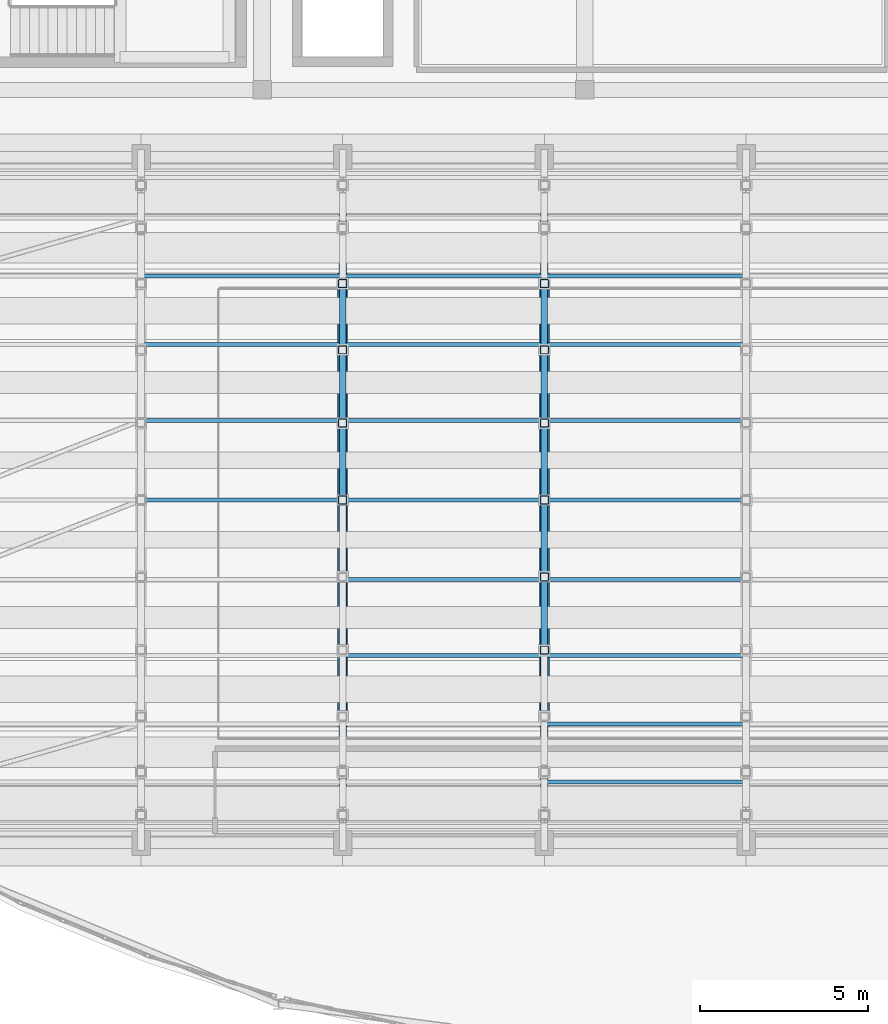
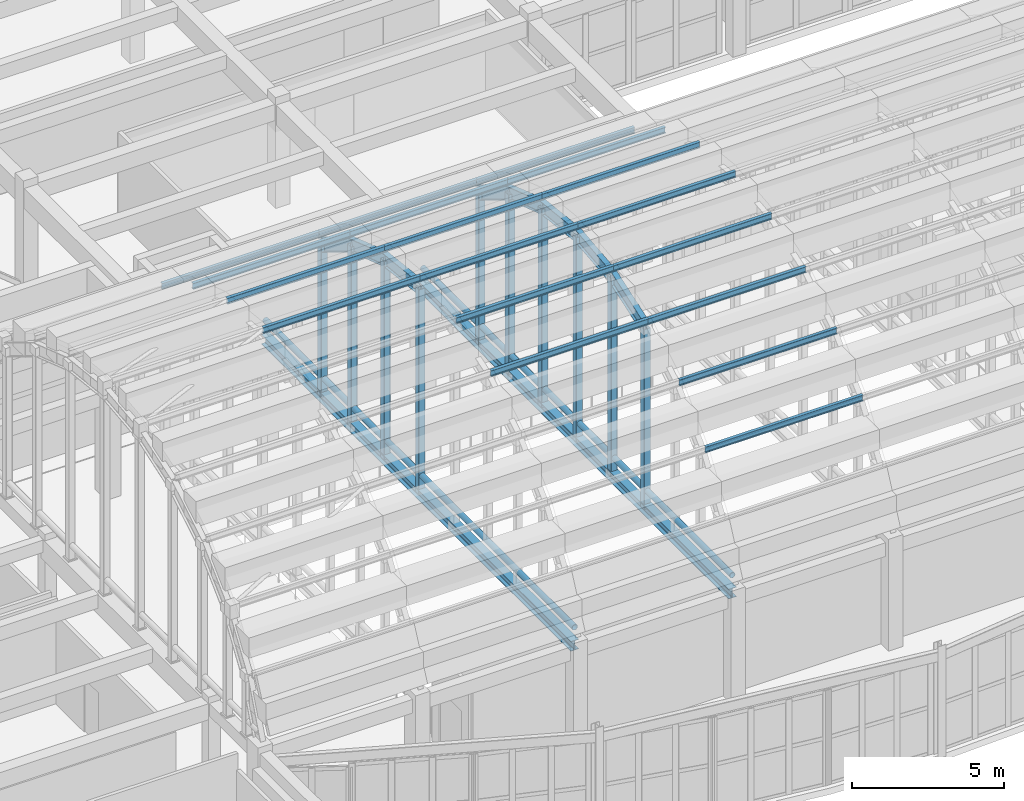
# One storey, part 9 of 91: 30 members, 10 beams.
"""IFC4 building model written with IfcOpenShell, lengths in metres."""

from ifc_helpers import new_model, si_unit, direction, frame, origin, origin_2d, place, context, subcontext, project, spatial, hollow_rectangle, hollow_circle, i_section, extrude, material, material_profile, profile_set, type_object, element, save


model = new_model("IFC4")

# Units and contexts
model_context = context("Model", 3, precision=1e-05, world=origin(), true_north=direction((0.0, 1.0)))
body_context = subcontext(model_context, "Body", "Model", "MODEL_VIEW")
ifc_project = project(units=[si_unit("LENGTHUNIT", "METRE"), si_unit("AREAUNIT", "SQUARE_METRE"), si_unit("VOLUMEUNIT", "CUBIC_METRE"), si_unit("PLANEANGLEUNIT", "RADIAN"), si_unit("MASSUNIT", "GRAM", prefix="KILO")], contexts=[model_context])

# Site, building, storey
site_placement = place(None, origin())
site = spatial("IfcSite", under=ifc_project, at=site_placement, CompositionType="ELEMENT")
building_placement = place(site_placement, origin())
building = spatial("IfcBuilding", under=site, at=building_placement, Name="Tarnavel Promenade Courthouse", CompositionType="ELEMENT")
storey_placement = place(building_placement, frame((0.0, 0.0, 9.89990234375)))
storey = spatial("IfcBuildingStorey", under=building, at=storey_placement, Name="L03", CompositionType="ELEMENT", Elevation=9.89990234375)

# Beams
ifc_material = material(Name="Steel S355J2", Category="steel")
ifc_material_profile_1 = material_profile(ifc_material, i_section(OverallWidth=0.199951171875, OverallDepth=0.5, WebThickness=0.01025390625, FlangeThickness=0.01611328125, FilletRadius=0.02099609375, at=origin_2d()), Name="IPE 500")
ifc_profile_set_1 = profile_set([ifc_material_profile_1], Name="Steel S355J2")
beam_type_1 = type_object("IfcBeamType", Name="Steel S355J2 BM-AR-IPE500 (IPE 500)", PredefinedType="T_BEAM", material=ifc_profile_set_1)
for number, where, z_axis, x_axis, name in (
    (1, (21.60009765625, 25.0, 12.35009765625), (0.0, 0.994030256649, -0.10910476097), (-1.0, 0.0, 0.0), "V4 Barrel Vault Arch Rib 03 Chord 07"),
    (2, (21.60009765625, 27.288818359375, 12.098876953125), (0.0, 0.946692570393, -0.322138444092), (-1.0, 0.0, 0.0), "V4 Barrel Vault Arch Rib 03 Chord 08"),
    (3, (21.60009765625, 29.468505859375, 11.357177734375), (0.0, 0.854305009105, -0.519772018696), (-1.0, 0.0, 0.0), "V4 Barrel Vault Arch Rib 03 Chord 09"),
    (4, (27.60009765625, 20.531494140625, 11.357177734375), (0.0, 0.946692570393, 0.322138444092), (-1.0, 0.0, 0.0), "V4 Barrel Vault Arch Rib 04 Chord 05"),
    (5, (27.60009765625, 22.711181640625, 12.098876953125), (0.0, 0.994030256649, 0.10910476097), (-1.0, 0.0, 0.0), "V4 Barrel Vault Arch Rib 04 Chord 06"),
    (6, (27.60009765625, 25.0, 12.35009765625), (0.0, 0.994030256649, -0.10910476097), (-1.0, 0.0, 0.0), "V4 Barrel Vault Arch Rib 04 Chord 07"),
    (7, (27.60009765625, 27.288818359375, 12.098876953125), (0.0, 0.946692570393, -0.322138444092), (-1.0, 0.0, 0.0), "V4 Barrel Vault Arch Rib 04 Chord 08"),
    (8, (27.60009765625, 29.468505859375, 11.357177734375), (0.0, 0.854305009105, -0.519772018696), (-1.0, 0.0, 0.0), "V4 Barrel Vault Arch Rib 04 Chord 09"),
):
    element("IfcBeam", number, at=place(storey_placement, frame(where, z_axis=z_axis, x_axis=x_axis)), inside=storey, type_object=beam_type_1, Name=name, PredefinedType="T_BEAM", context=body_context, shape_type="SweptSolid", body=[
        extrude(i_section(OverallWidth=0.199951171875, OverallDepth=0.5, WebThickness=0.01025390625, FlangeThickness=0.01611328125, FilletRadius=0.02099609375, at=origin_2d()), origin(), (0.0, 0.0, 1.0), 2.302490234375),
    ])
ifc_material_profile_2 = material_profile(ifc_material, i_section(OverallWidth=0.300048828125, OverallDepth=0.39990234375, WebThickness=0.013427734375, FlangeThickness=0.02392578125, FilletRadius=0.027099609375, at=origin_2d()), Name="HEB 400")
ifc_profile_set_2 = profile_set([ifc_material_profile_2], Name="Steel S355J2")
beam_type_2 = type_object("IfcBeamType", Name="Steel S355J2 BM-ST-HEB400 (HEB 400)", PredefinedType="T_BEAM", material=ifc_profile_set_2)
for number, where, z_axis, x_axis, name in (
    (9, (21.60009765625, 14.800048828125, 4.1201171875), (0.0, 1.0, 0.0), (-1.0, 0.0, 0.0), "V4 Barrel Vault Tie Girder 03"),
    (10, (27.60009765625, 14.800048828125, 4.1201171875), (0.0, 1.0, 0.0), (-1.0, 0.0, 0.0), "V4 Barrel Vault Tie Girder 04"),
):
    element("IfcBeam", number, at=place(storey_placement, frame(where, z_axis=z_axis, x_axis=x_axis)), inside=storey, type_object=beam_type_2, Name=name, PredefinedType="T_BEAM", context=body_context, shape_type="SweptSolid", body=[
        extrude(i_section(OverallWidth=0.300048828125, OverallDepth=0.39990234375, WebThickness=0.013427734375, FlangeThickness=0.02392578125, FilletRadius=0.027099609375, at=origin_2d()), origin(), (0.0, 0.0, 1.0), 20.39990234375),
    ])

# Members
ifc_material_profile_3 = material_profile(ifc_material, i_section(OverallWidth=0.1201171875, OverallDepth=0.239990234375, WebThickness=0.006103515625, FlangeThickness=0.009765625, FilletRadius=0.014892578125, at=origin_2d()), Name="IPE 240")
ifc_profile_set_3 = profile_set([ifc_material_profile_3], Name="Steel S355J2")
member_type_1 = type_object("IfcMemberType", Name="Steel S355J2 MEM-PUR-IPE240 (IPE 240)", PredefinedType="PURLIN", material=ifc_profile_set_3)
for number, where, z_axis, x_axis, name in (
    (11, (15.60009765625, 25.0, 12.72998046875), (1.0, 0.0, 0.0), (0.0, 1.0, 0.0), "V4 Barrel Vault Purlin 02-06"),
    (12, (15.60009765625, 27.37109375, 12.4697265625), (1.0, 0.0, 0.0), (0.0, 1.0, 0.0), "V4 Barrel Vault Purlin 02-07"),
    (13, (15.60009765625, 29.62939453125, 11.701416015625), (1.0, 0.0, 0.0), (0.0, 1.0, 0.0), "V4 Barrel Vault Purlin 02-08"),
    (14, (15.60009765625, 31.667236328125, 10.46142578125), (1.0, 0.0, 0.0), (0.0, 1.0, 0.0), "V4 Barrel Vault Purlin 02-09"),
    (15, (21.60009765625, 20.37060546875, 11.701416015625), (1.0, 0.0, 0.0), (0.0, 1.0, 0.0), "V4 Barrel Vault Purlin 03-04"),
    (16, (21.60009765625, 22.62890625, 12.4697265625), (1.0, 0.0, 0.0), (0.0, 1.0, 0.0), "V4 Barrel Vault Purlin 03-05"),
    (17, (21.60009765625, 25.0, 12.72998046875), (1.0, 0.0, 0.0), (0.0, 1.0, 0.0), "V4 Barrel Vault Purlin 03-06"),
    (18, (21.60009765625, 27.37109375, 12.4697265625), (1.0, 0.0, 0.0), (0.0, 1.0, 0.0), "V4 Barrel Vault Purlin 03-07"),
    (19, (21.60009765625, 29.62939453125, 11.701416015625), (1.0, 0.0, 0.0), (0.0, 1.0, 0.0), "V4 Barrel Vault Purlin 03-08"),
    (20, (21.60009765625, 31.667236328125, 10.46142578125), (1.0, 0.0, 0.0), (0.0, 1.0, 0.0), "V4 Barrel Vault Purlin 03-09"),
    (21, (27.60009765625, 16.6123046875, 8.80908203125), (1.0, 0.0, 0.0), (0.0, 1.0, 0.0), "V4 Barrel Vault Purlin 04-02"),
    (22, (27.60009765625, 18.332763671875, 10.46142578125), (1.0, 0.0, 0.0), (0.0, 1.0, 0.0), "V4 Barrel Vault Purlin 04-03"),
    (23, (27.60009765625, 20.37060546875, 11.701416015625), (1.0, 0.0, 0.0), (0.0, 1.0, 0.0), "V4 Barrel Vault Purlin 04-04"),
    (24, (27.60009765625, 22.62890625, 12.4697265625), (1.0, 0.0, 0.0), (0.0, 1.0, 0.0), "V4 Barrel Vault Purlin 04-05"),
    (25, (27.60009765625, 25.0, 12.72998046875), (1.0, 0.0, 0.0), (0.0, 1.0, 0.0), "V4 Barrel Vault Purlin 04-06"),
    (26, (27.60009765625, 27.37109375, 12.4697265625), (1.0, 0.0, 0.0), (0.0, 1.0, 0.0), "V4 Barrel Vault Purlin 04-07"),
    (27, (27.60009765625, 29.62939453125, 11.701416015625), (1.0, 0.0, 0.0), (0.0, 1.0, 0.0), "V4 Barrel Vault Purlin 04-08"),
    (28, (27.60009765625, 31.667236328125, 10.46142578125), (1.0, 0.0, 0.0), (0.0, 1.0, 0.0), "V4 Barrel Vault Purlin 04-09"),
):
    element("IfcMember", number, at=place(storey_placement, frame(where, z_axis=z_axis, x_axis=x_axis)), inside=storey, type_object=member_type_1, Name=name, PredefinedType="PURLIN", context=body_context, shape_type="SweptSolid", body=[
        extrude(i_section(OverallWidth=0.1201171875, OverallDepth=0.239990234375, WebThickness=0.006103515625, FlangeThickness=0.009765625, FilletRadius=0.014892578125, at=origin_2d()), origin(), (0.0, 0.0, 1.0), 6.0),
    ])
ifc_material_profile_4 = material_profile(ifc_material, hollow_rectangle(XDim=0.25, YDim=0.25, WallThickness=0.012451171875, InnerFilletRadius=0.012451171875, OuterFilletRadius=0.02490234375, at=origin_2d()), Name="SHS 250x250x12.5")
ifc_profile_set_4 = profile_set([ifc_material_profile_4], Name="Steel S355J2")
member_type_2 = type_object("IfcMemberType", Name="Steel S355J2 MEM-STR-SHS250 (SHS 250x250x12.5)", PredefinedType="STRUT", material=ifc_profile_set_4)
member_1_placement = place(storey_placement, frame((21.60009765625, 25.0, 4.1201171875), z_axis=(0.0, 0.0, 1.0), x_axis=(1.0, 0.0, 0.0)))
element("IfcMember", 29, at=member_1_placement, inside=storey, type_object=member_type_2, Name="V4 Vault Arch Web Strut 03-06", PredefinedType="STRUT", context=body_context, shape_type="SweptSolid", body=[
    extrude(hollow_rectangle(XDim=0.25, YDim=0.25, WallThickness=0.012451171875, InnerFilletRadius=0.012451171875, OuterFilletRadius=0.02490234375, at=origin_2d()), origin(), (0.0, 0.0, 1.0), 8.22998046875),
])
member_2_placement = place(storey_placement, frame((21.60009765625, 27.288818359375, 4.1201171875), z_axis=(0.0, 0.0, 1.0), x_axis=(1.0, 0.0, 0.0)))
element("IfcMember", 30, at=member_2_placement, inside=storey, type_object=member_type_2, Name="V4 Vault Arch Web Strut 03-07", PredefinedType="STRUT", context=body_context, shape_type="SweptSolid", body=[
    extrude(hollow_rectangle(XDim=0.25, YDim=0.25, WallThickness=0.012451171875, InnerFilletRadius=0.012451171875, OuterFilletRadius=0.02490234375, at=origin_2d()), origin(), (0.0, 0.0, 1.0), 7.978759765625),
])
member_3_placement = place(storey_placement, frame((21.60009765625, 29.468505859375, 4.1201171875), z_axis=(0.0, 0.0, 1.0), x_axis=(1.0, 0.0, 0.0)))
element("IfcMember", 31, at=member_3_placement, inside=storey, type_object=member_type_2, Name="V4 Vault Arch Web Strut 03-08", PredefinedType="STRUT", context=body_context, shape_type="SweptSolid", body=[
    extrude(hollow_rectangle(XDim=0.25, YDim=0.25, WallThickness=0.012451171875, InnerFilletRadius=0.012451171875, OuterFilletRadius=0.02490234375, at=origin_2d()), origin(), (0.0, 0.0, 1.0), 7.237060546875),
])
member_4_placement = place(storey_placement, frame((21.60009765625, 31.435546875, 4.1201171875), z_axis=(0.0, 0.0, 1.0), x_axis=(1.0, 0.0, 0.0)))
element("IfcMember", 32, at=member_4_placement, inside=storey, type_object=member_type_2, Name="V4 Vault Arch Web Strut 03-09", PredefinedType="STRUT", context=body_context, shape_type="SweptSolid", body=[
    extrude(hollow_rectangle(XDim=0.25, YDim=0.25, WallThickness=0.012451171875, InnerFilletRadius=0.012451171875, OuterFilletRadius=0.02490234375, at=origin_2d()), origin(), (0.0, 0.0, 1.0), 6.040283203125),
])
member_5_placement = place(storey_placement, frame((27.60009765625, 20.531494140625, 4.1201171875), z_axis=(0.0, 0.0, 1.0), x_axis=(1.0, 0.0, 0.0)))
element("IfcMember", 33, at=member_5_placement, inside=storey, type_object=member_type_2, Name="V4 Vault Arch Web Strut 04-04", PredefinedType="STRUT", context=body_context, shape_type="SweptSolid", body=[
    extrude(hollow_rectangle(XDim=0.25, YDim=0.25, WallThickness=0.012451171875, InnerFilletRadius=0.012451171875, OuterFilletRadius=0.02490234375, at=origin_2d()), origin(), (0.0, 0.0, 1.0), 7.237060546875),
])
member_6_placement = place(storey_placement, frame((27.60009765625, 22.711181640625, 4.1201171875), z_axis=(0.0, 0.0, 1.0), x_axis=(1.0, 0.0, 0.0)))
element("IfcMember", 34, at=member_6_placement, inside=storey, type_object=member_type_2, Name="V4 Vault Arch Web Strut 04-05", PredefinedType="STRUT", context=body_context, shape_type="SweptSolid", body=[
    extrude(hollow_rectangle(XDim=0.25, YDim=0.25, WallThickness=0.012451171875, InnerFilletRadius=0.012451171875, OuterFilletRadius=0.02490234375, at=origin_2d()), origin(), (0.0, 0.0, 1.0), 7.978759765625),
])
member_7_placement = place(storey_placement, frame((27.60009765625, 25.0, 4.1201171875), z_axis=(0.0, 0.0, 1.0), x_axis=(1.0, 0.0, 0.0)))
element("IfcMember", 35, at=member_7_placement, inside=storey, type_object=member_type_2, Name="V4 Vault Arch Web Strut 04-06", PredefinedType="STRUT", context=body_context, shape_type="SweptSolid", body=[
    extrude(hollow_rectangle(XDim=0.25, YDim=0.25, WallThickness=0.012451171875, InnerFilletRadius=0.012451171875, OuterFilletRadius=0.02490234375, at=origin_2d()), origin(), (0.0, 0.0, 1.0), 8.22998046875),
])
member_8_placement = place(storey_placement, frame((27.60009765625, 27.288818359375, 4.1201171875), z_axis=(0.0, 0.0, 1.0), x_axis=(1.0, 0.0, 0.0)))
element("IfcMember", 36, at=member_8_placement, inside=storey, type_object=member_type_2, Name="V4 Vault Arch Web Strut 04-07", PredefinedType="STRUT", context=body_context, shape_type="SweptSolid", body=[
    extrude(hollow_rectangle(XDim=0.25, YDim=0.25, WallThickness=0.012451171875, InnerFilletRadius=0.012451171875, OuterFilletRadius=0.02490234375, at=origin_2d()), origin(), (0.0, 0.0, 1.0), 7.978759765625),
])
member_9_placement = place(storey_placement, frame((27.60009765625, 29.468505859375, 4.1201171875), z_axis=(0.0, 0.0, 1.0), x_axis=(1.0, 0.0, 0.0)))
element("IfcMember", 37, at=member_9_placement, inside=storey, type_object=member_type_2, Name="V4 Vault Arch Web Strut 04-08", PredefinedType="STRUT", context=body_context, shape_type="SweptSolid", body=[
    extrude(hollow_rectangle(XDim=0.25, YDim=0.25, WallThickness=0.012451171875, InnerFilletRadius=0.012451171875, OuterFilletRadius=0.02490234375, at=origin_2d()), origin(), (0.0, 0.0, 1.0), 7.237060546875),
])
member_10_placement = place(storey_placement, frame((27.60009765625, 31.435546875, 4.1201171875), z_axis=(0.0, 0.0, 1.0), x_axis=(1.0, 0.0, 0.0)))
element("IfcMember", 38, at=member_10_placement, inside=storey, type_object=member_type_2, Name="V4 Vault Arch Web Strut 04-09", PredefinedType="STRUT", context=body_context, shape_type="SweptSolid", body=[
    extrude(hollow_rectangle(XDim=0.25, YDim=0.25, WallThickness=0.012451171875, InnerFilletRadius=0.012451171875, OuterFilletRadius=0.02490234375, at=origin_2d()), origin(), (0.0, 0.0, 1.0), 6.040283203125),
])
ifc_material_profile_5 = material_profile(ifc_material, hollow_circle(Radius=0.109619140625, WallThickness=0.010009765625, at=origin_2d()), Name="CHS 219.1x10")
ifc_profile_set_5 = profile_set([ifc_material_profile_5], Name="Steel S355J2")
member_type_3 = type_object("IfcMemberType", Name="Steel S355J2 MEM-TIE-CHS219 (CHS 219.1x10)", PredefinedType="CHORD", material=ifc_profile_set_5)
for number, where, z_axis, x_axis, name in (
    (39, (21.60009765625, 14.800048828125, 4.840087890625), (0.0, 1.0, 0.0), (-1.0, 0.0, 0.0), "V4 Barrel Vault Springline Tie Rod 03"),
    (40, (27.60009765625, 14.800048828125, 4.840087890625), (0.0, 1.0, 0.0), (-1.0, 0.0, 0.0), "V4 Barrel Vault Springline Tie Rod 04"),
):
    element("IfcMember", number, at=place(storey_placement, frame(where, z_axis=z_axis, x_axis=x_axis)), inside=storey, type_object=member_type_3, Name=name, PredefinedType="CHORD", context=body_context, shape_type="SweptSolid", body=[
        extrude(hollow_circle(Radius=0.109619140625, WallThickness=0.010009765625, at=origin_2d()), origin(), (0.0, 0.0, 1.0), 20.39990234375),
    ])

save(model, "model.ifc")
